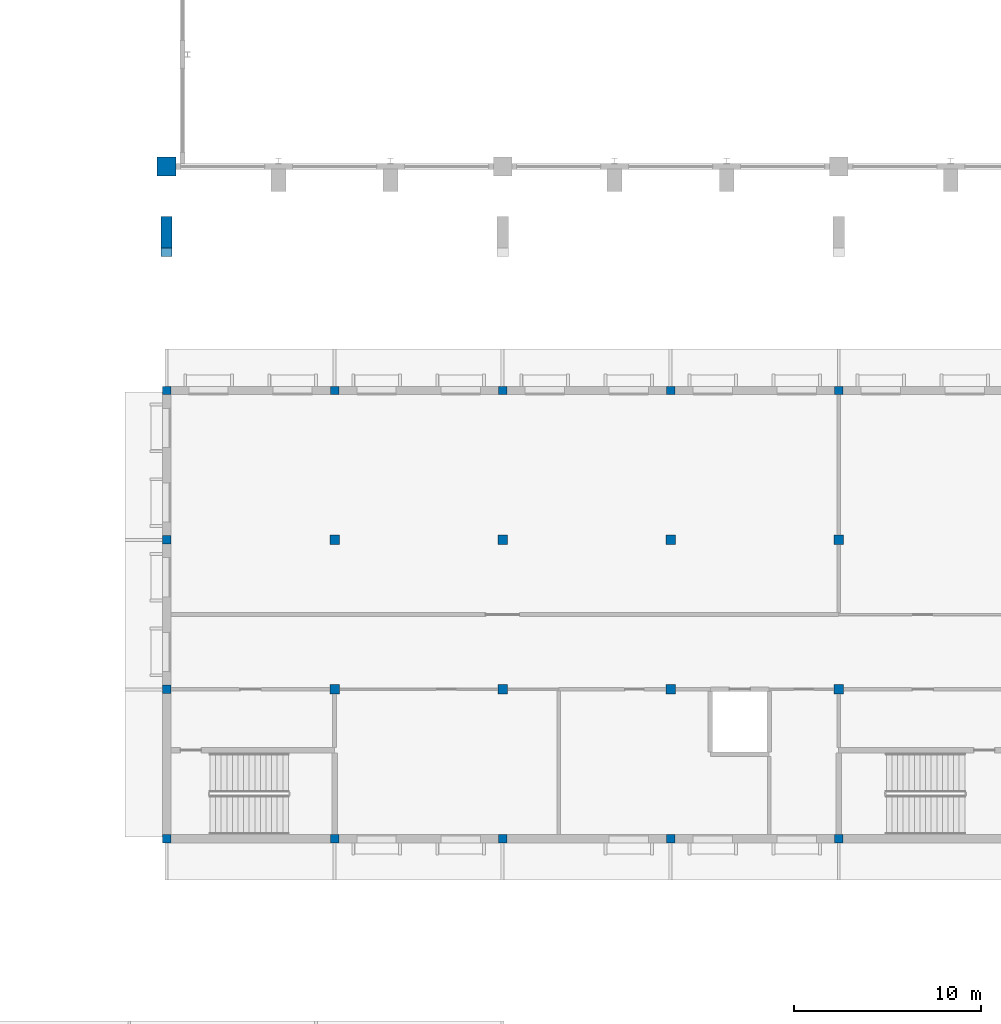
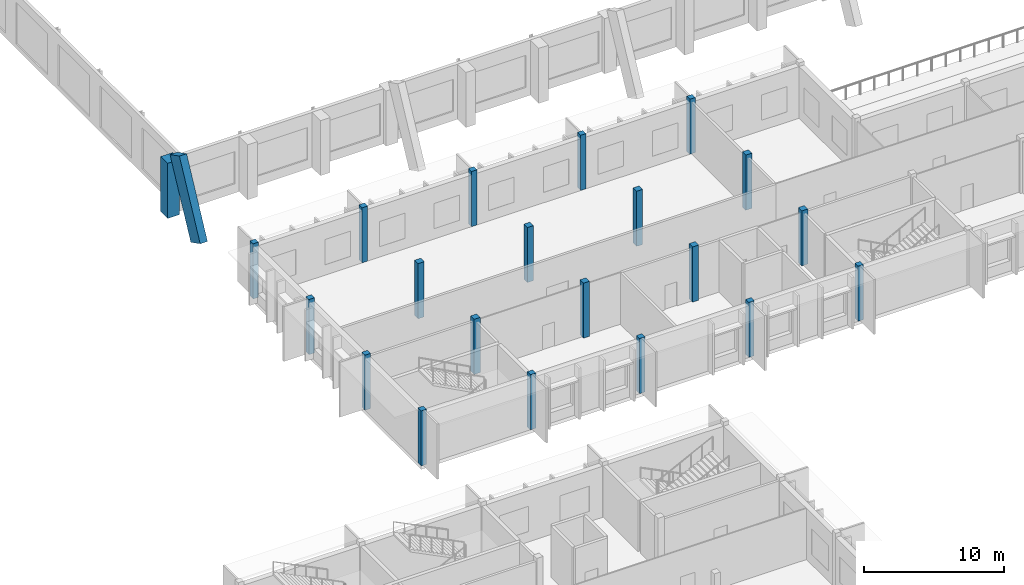
# One storey, part 6 of 182: 22 columns.
"""IFC4 building model written with IfcOpenShell, lengths in metres."""

import ifcopenshell
import ifcopenshell.guid

model = None  # the IFC model being written
_history = None  # IfcOwnerHistory: only IFC2X3 demands one
_inside = {}  # id of a spatial element -> (the spatial element, [elements in it])
_under = {}  # id of a project, library or spatial element -> (it, [spatial elements below it])
_declared = {}  # id of a project -> (the project, [libraries it declares])
_typed = {}  # id of a type object -> (the type object, [elements of that type])
_made_of = {}  # id of a material, layer set ... -> (it, [elements and type objects made of it])


def new_model(schema):
    """Start an empty IFC model of exactly this schema.

    Asked for "IFC4X3", IfcOpenShell would pick the latest addendum, in which some entities
    have other attributes; the version numbers below select the first issue.
    IFC2X3 requires an IfcOwnerHistory on every rooted entity: one is made here for all.
    """
    global model, _history
    if schema == "IFC4X3":
        model = ifcopenshell.file(schema_version=(4, 3, 0, 0))
    else:
        model = ifcopenshell.file(schema=schema)
    _inside.clear()
    _under.clear()
    _declared.clear()
    _typed.clear()
    _made_of.clear()
    _history = None
    if model.schema == "IFC2X3":
        org = make("IfcOrganization", Name="unknown")
        user = make(
            "IfcPersonAndOrganization",
            ThePerson=make("IfcPerson", FamilyName="unknown"),
            TheOrganization=org,
        )
        app = make(
            "IfcApplication",
            ApplicationDeveloper=org,
            Version="unknown",
            ApplicationFullName="unknown",
            ApplicationIdentifier="unknown",
        )
        _history = make(
            "IfcOwnerHistory",
            OwningUser=user,
            OwningApplication=app,
            ChangeAction="ADDED",
            CreationDate=0,
        )
    return model


def make(cls, **values):
    """One entity of the class cls with the attributes given. An attribute that is None is left unset."""
    return model.create_entity(
        cls, **{name: value for name, value in values.items() if value is not None}
    )


def rooted(cls, **values):
    """An entity with a GlobalId (a new one), such as an element, a storey or a relation."""
    return make(cls, GlobalId=ifcopenshell.guid.new(), OwnerHistory=_history, **values)


def si_unit(unit_type, name, prefix=None):
    """IfcSIUnit, for example si_unit("LENGTHUNIT", "METRE", prefix="MILLI")."""
    return make("IfcSIUnit", UnitType=unit_type, Prefix=prefix, Name=name)


def assignment(units):
    """IfcUnitAssignment: the units of a project."""
    return None if units is None else make("IfcUnitAssignment", Units=units)


def point(xyz):
    """IfcCartesianPoint."""
    return None if xyz is None else make("IfcCartesianPoint", Coordinates=xyz)


def direction(xyz):
    """IfcDirection."""
    return None if xyz is None else make("IfcDirection", DirectionRatios=xyz)


def frame(location, z_axis=None, x_axis=None):
    """IfcAxis2Placement3D, a coordinate frame: its origin and axes. An axis left out is left unset."""
    return make(
        "IfcAxis2Placement3D",
        Location=point(location),
        Axis=direction(z_axis),
        RefDirection=direction(x_axis),
    )


def frame_2d(location, x_axis=None):
    """IfcAxis2Placement2D, a coordinate frame in the plane: its origin and x axis."""
    return make(
        "IfcAxis2Placement2D", Location=point(location), RefDirection=direction(x_axis)
    )


def origin():
    """The frame at (0, 0, 0) with its axes left unset."""
    return frame((0.0, 0.0, 0.0))


def origin_2d():
    """The frame at (0, 0) in the plane with its x axis left unset."""
    return frame_2d((0.0, 0.0))


def place(relative_to, where):
    """IfcLocalPlacement: puts the frame where relative to a parent placement (None: the world)."""
    return make(
        "IfcLocalPlacement", PlacementRelTo=relative_to, RelativePlacement=where
    )


def context(
    kind, dimensions, precision=None, world=None, true_north=None, identifier=None
):
    """IfcGeometricRepresentationContext, for example the 3D "Model" context."""
    return make(
        "IfcGeometricRepresentationContext",
        ContextIdentifier=identifier,
        ContextType=kind,
        CoordinateSpaceDimension=dimensions,
        Precision=precision,
        WorldCoordinateSystem=world,
        TrueNorth=true_north,
    )


def subcontext(parent, identifier, kind, view, scale=None):
    """IfcGeometricRepresentationSubContext, for example "Body" below "Model"."""
    return make(
        "IfcGeometricRepresentationSubContext",
        ContextIdentifier=identifier,
        ContextType=kind,
        ParentContext=parent,
        TargetScale=scale,
        TargetView=view,
    )


def project(units=None, contexts=None):
    """IfcProject with its units and contexts."""
    return rooted(
        "IfcProject",
        Name="project",
        RepresentationContexts=contexts,
        UnitsInContext=assignment(units),
    )


def spatial(cls, under=None, at=None, **own):
    """A site, building, storey or space (cls), placed at a placement, below another one or the project."""
    s = rooted(cls, ObjectPlacement=at, **own)
    if under is not None:
        _under.setdefault(under.id(), (under, []))[1].append(s)
    return s


def profile(cls, at=None, kind="AREA", **sizes):
    """A parametric profile (cls). Its sizes go by their IFC names, for example OverallWidth=200.0."""
    return make(cls, ProfileType=kind, Position=at, **sizes)


def rectangle(**sizes):
    """IfcRectangleProfileDef."""
    return profile("IfcRectangleProfileDef", **sizes)


def extrude(swept, where, along, depth):
    """IfcExtrudedAreaSolid: the profile swept, set in the frame where, extruded along a direction by depth."""
    return make(
        "IfcExtrudedAreaSolid",
        SweptArea=swept,
        Position=where,
        ExtrudedDirection=direction(along),
        Depth=depth,
    )


def shape(context_of_items, identifier, shape_type, items):
    """IfcShapeRepresentation: the items that make up one representation, for example the "Body"."""
    return make(
        "IfcShapeRepresentation",
        ContextOfItems=context_of_items,
        RepresentationIdentifier=identifier,
        RepresentationType=shape_type,
        Items=items,
    )


def material(Name=None, Category=None):
    """IfcMaterial."""
    return make("IfcMaterial", Name=Name, Category=Category)


def material_profile(
    of_material, cross_section, Name=None, Category=None, Priority=None
):
    """IfcMaterialProfile: a cross section and its material."""
    return make(
        "IfcMaterialProfile",
        Name=Name,
        Material=of_material,
        Profile=cross_section,
        Priority=Priority,
        Category=Category,
    )


def profile_set(profiles, Name=None, composite=None):
    """IfcMaterialProfileSet."""
    return make(
        "IfcMaterialProfileSet",
        Name=Name,
        MaterialProfiles=profiles,
        CompositeProfile=composite,
    )


def made_of(thing, what):
    """Note that an element or type object is made of a material, layer set ...; save() writes the relation."""
    if what is not None:
        _made_of.setdefault(what.id(), (what, []))[1].append(thing)
    return thing


def type_object(cls, material=None, **own):
    """A type object (cls), such as IfcWallType, which elements share."""
    return made_of(rooted(cls, **own), material)


def element(
    cls,
    number,
    at=None,
    inside=None,
    cuts=None,
    type_object=None,
    material=None,
    context=None,
    identifier="Body",
    shape_type=None,
    held_by="IfcProductDefinitionShape",
    body=None,
    shapes=None,
    **own,
):
    """One element of the class cls, such as IfcWall. Its Tag is "e" and its number.

    at: its placement. inside: the storey or other place that contains it. cuts: it is an
    opening in that element (IfcRelVoidsElement). A single representation is given by context,
    identifier, shape_type and body (its items); several are given by shapes. held_by: the class
    of the entity that holds the representations. save() writes the other relations.
    """
    e = rooted(cls, Tag="e%d" % number, ObjectPlacement=at, **own)
    if body is not None:
        shapes = [shape(context, identifier, shape_type, body)]
    if shapes is not None:
        e.Representation = make(held_by, Representations=shapes)
    if inside is not None:
        _inside.setdefault(inside.id(), (inside, []))[1].append(e)
    if cuts is not None:
        rooted(
            "IfcRelVoidsElement", RelatingBuildingElement=cuts, RelatedOpeningElement=e
        )
    if type_object is not None:
        _typed.setdefault(type_object.id(), (type_object, []))[1].append(e)
    return made_of(e, material)


def aggregate(whole, parts):
    """IfcRelAggregates: a whole, such as a stair, and the parts it consists of."""
    return rooted("IfcRelAggregates", RelatingObject=whole, RelatedObjects=parts)


def save(model, path):
    """Write the relations noted so far, then the file.

    IfcRelAggregates (storeys below a building ...), IfcRelContainedInSpatialStructure (elements
    in a storey), IfcRelDefinesByType, IfcRelAssociatesMaterial and IfcRelDeclares: one each for
    every whole, place, type object, material and project.
    """
    for whole, parts in _under.values():
        aggregate(whole, parts)
    for where, things in _inside.values():
        rooted(
            "IfcRelContainedInSpatialStructure",
            RelatedElements=things,
            RelatingStructure=where,
        )
    for kind, things in _typed.values():
        rooted("IfcRelDefinesByType", RelatedObjects=things, RelatingType=kind)
    for what, things in _made_of.values():
        rooted("IfcRelAssociatesMaterial", RelatedObjects=things, RelatingMaterial=what)
    for by, libraries in _declared.values():
        rooted("IfcRelDeclares", RelatingContext=by, RelatedDefinitions=libraries)
    model.write(path)


model = new_model("IFC4")

# Units and contexts
model_context = context("Model", 3, precision=1e-05, world=origin(), true_north=direction((0.0, 1.0)))
body_context = subcontext(model_context, "Body", "Model", "MODEL_VIEW")
ifc_project = project(units=[si_unit("LENGTHUNIT", "METRE"), si_unit("AREAUNIT", "SQUARE_METRE"), si_unit("VOLUMEUNIT", "CUBIC_METRE"), si_unit("PLANEANGLEUNIT", "RADIAN"), si_unit("MASSUNIT", "GRAM", prefix="KILO")], contexts=[model_context])

# Site, building, storey
site_placement = place(None, origin())
site = spatial("IfcSite", under=ifc_project, at=site_placement, CompositionType="ELEMENT")
building_placement = place(site_placement, origin())
building = spatial("IfcBuilding", under=site, at=building_placement, Name="Okhra Congress Centre", CompositionType="ELEMENT")
storey_placement = place(building_placement, frame((0.0, 0.0, 7.199951171875)))
storey = spatial("IfcBuildingStorey", under=building, at=storey_placement, Name="L01", CompositionType="ELEMENT", Elevation=7.199951171875)

# Columns
ifc_material_1 = material(Name="Concrete C40/50", Category="concrete")
ifc_material_profile_1 = material_profile(ifc_material_1, rectangle(XDim=1.0, YDim=1.0, at=origin_2d()), Name="RC 1000x1000")
ifc_profile_set_1 = profile_set([ifc_material_profile_1], Name="Concrete C40/50")
column_type_1 = type_object("IfcColumnType", Name="RC column 1000x1000 C40/50", PredefinedType="COLUMN", material=ifc_profile_set_1)
column_1_placement = place(storey_placement, frame((28.0, 132.0, 0.0), z_axis=(0.0, 0.0, 1.0), x_axis=(1.0, 0.0, 0.0)))
element("IfcColumn", 1, at=column_1_placement, inside=storey, type_object=column_type_1, Name="EH.COL.L01.SC1", PredefinedType="COLUMN", context=body_context, shape_type="SweptSolid", body=[
    extrude(rectangle(XDim=1.0, YDim=1.0, at=origin_2d()), origin(), (0.0, 0.0, 1.0), 4.800048828125),
])
ifc_material_2 = material(Name="Concrete C35/45", Category="concrete")
ifc_material_profile_2 = material_profile(ifc_material_2, rectangle(XDim=0.449951171875, YDim=0.449951171875, at=origin_2d()), Name="RC 450x450")
ifc_profile_set_2 = profile_set([ifc_material_profile_2], Name="Concrete C35/45")
column_type_2 = type_object("IfcColumnType", Name="RC column 450x450 C35/45", PredefinedType="COLUMN", material=ifc_profile_set_2)
for number, where, z_axis, x_axis, name in (
    (2, (28.0, 96.0, 0.0), (0.0, 0.0, 1.0), (1.0, 0.0, 0.0), "SV.COL.L01.1"),
    (3, (28.0, 104.0, 0.0), (0.0, 0.0, 1.0), (1.0, 0.0, 0.0), "SV.COL.L01.2"),
    (4, (28.0, 112.0, 0.0), (0.0, 0.0, 1.0), (1.0, 0.0, 0.0), "SV.COL.L01.3"),
    (5, (28.0, 120.0, 0.0), (0.0, 0.0, 1.0), (1.0, 0.0, 0.0), "SV.COL.L01.4"),
    (6, (37.0, 96.0, 0.0), (0.0, 0.0, 1.0), (1.0, 0.0, 0.0), "SV.COL.L01.5"),
    (7, (37.0, 120.0, 0.0), (0.0, 0.0, 1.0), (1.0, 0.0, 0.0), "SV.COL.L01.8"),
    (8, (46.0, 96.0, 0.0), (0.0, 0.0, 1.0), (1.0, 0.0, 0.0), "SV.COL.L01.9"),
    (9, (46.0, 120.0, 0.0), (0.0, 0.0, 1.0), (1.0, 0.0, 0.0), "SV.COL.L01.12"),
    (10, (55.0, 96.0, 0.0), (0.0, 0.0, 1.0), (1.0, 0.0, 0.0), "SV.COL.L01.13"),
    (11, (55.0, 120.0, 0.0), (0.0, 0.0, 1.0), (1.0, 0.0, 0.0), "SV.COL.L01.16"),
    (12, (64.0, 96.0, 0.0), (0.0, 0.0, 1.0), (1.0, 0.0, 0.0), "SV.COL.L01.17"),
    (13, (64.0, 120.0, 0.0), (0.0, 0.0, 1.0), (1.0, 0.0, 0.0), "SV.COL.L01.20"),
):
    element("IfcColumn", number, at=place(storey_placement, frame(where, z_axis=z_axis, x_axis=x_axis)), inside=storey, type_object=column_type_2, Name=name, PredefinedType="COLUMN", context=body_context, shape_type="SweptSolid", body=[
        extrude(rectangle(XDim=0.449951171875, YDim=0.449951171875, at=origin_2d()), origin(), (0.0, 0.0, 1.0), 4.800048828125),
    ])
ifc_material_profile_3 = material_profile(ifc_material_2, rectangle(XDim=0.5, YDim=0.5, at=origin_2d()), Name="RC 500x500")
ifc_profile_set_3 = profile_set([ifc_material_profile_3], Name="Concrete C35/45")
column_type_3 = type_object("IfcColumnType", Name="RC column 500x500 C35/45", PredefinedType="COLUMN", material=ifc_profile_set_3)
for number, where, z_axis, x_axis, name in (
    (14, (37.0, 104.0, 0.0), (0.0, 0.0, 1.0), (1.0, 0.0, 0.0), "SV.COL.L01.6"),
    (15, (37.0, 112.0, 0.0), (0.0, 0.0, 1.0), (1.0, 0.0, 0.0), "SV.COL.L01.7"),
    (16, (46.0, 104.0, 0.0), (0.0, 0.0, 1.0), (1.0, 0.0, 0.0), "SV.COL.L01.10"),
    (17, (46.0, 112.0, 0.0), (0.0, 0.0, 1.0), (1.0, 0.0, 0.0), "SV.COL.L01.11"),
    (18, (55.0, 104.0, 0.0), (0.0, 0.0, 1.0), (1.0, 0.0, 0.0), "SV.COL.L01.14"),
    (19, (55.0, 112.0, 0.0), (0.0, 0.0, 1.0), (1.0, 0.0, 0.0), "SV.COL.L01.15"),
    (20, (64.0, 104.0, 0.0), (0.0, 0.0, 1.0), (1.0, 0.0, 0.0), "SV.COL.L01.18"),
    (21, (64.0, 112.0, 0.0), (0.0, 0.0, 1.0), (1.0, 0.0, 0.0), "SV.COL.L01.19"),
):
    element("IfcColumn", number, at=place(storey_placement, frame(where, z_axis=z_axis, x_axis=x_axis)), inside=storey, type_object=column_type_3, Name=name, PredefinedType="COLUMN", context=body_context, shape_type="SweptSolid", body=[
        extrude(rectangle(XDim=0.5, YDim=0.5, at=origin_2d()), origin(), (0.0, 0.0, 1.0), 4.800048828125),
    ])
ifc_material_profile_4 = material_profile(ifc_material_2, rectangle(XDim=0.60009765625, YDim=1.5, at=origin_2d()), Name="RC 600x1500")
ifc_profile_set_4 = profile_set([ifc_material_profile_4], Name="Concrete C35/45")
column_type_4 = type_object("IfcColumnType", Name="Raking buttress pier RC 600x1500 C35/45", PredefinedType="COLUMN", material=ifc_profile_set_4)
column_2_placement = place(storey_placement, frame((28.0, 127.85595703125, 0.0), z_axis=(0.0, 0.453979342661, 0.891012208916), x_axis=(-1.0, 0.0, 0.0)))
element("IfcColumn", 22, at=column_2_placement, inside=storey, type_object=column_type_4, Name="Buttress pier 1", PredefinedType="COLUMN", context=body_context, shape_type="SweptSolid", body=[
    extrude(rectangle(XDim=0.60009765625, YDim=1.5, at=origin_2d()), origin(), (0.0, 0.0, 1.0), 6.554931640625),
])

save(model, "model.ifc")
